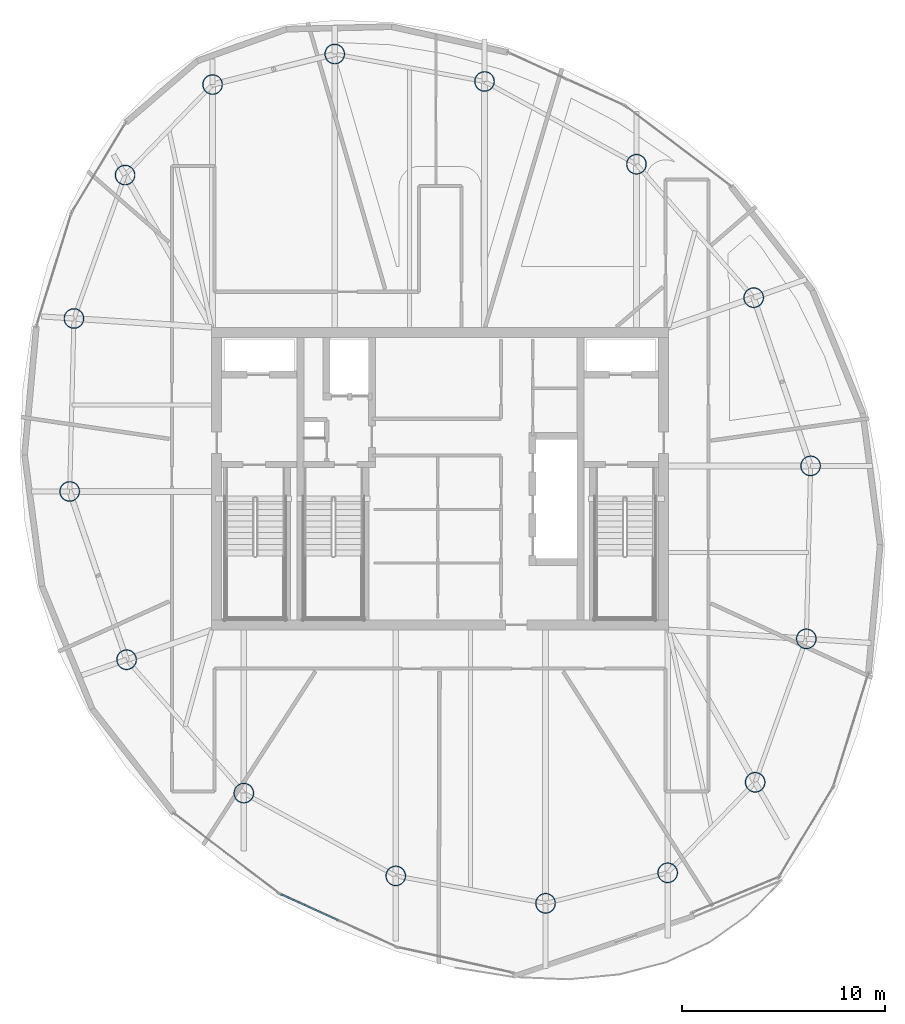
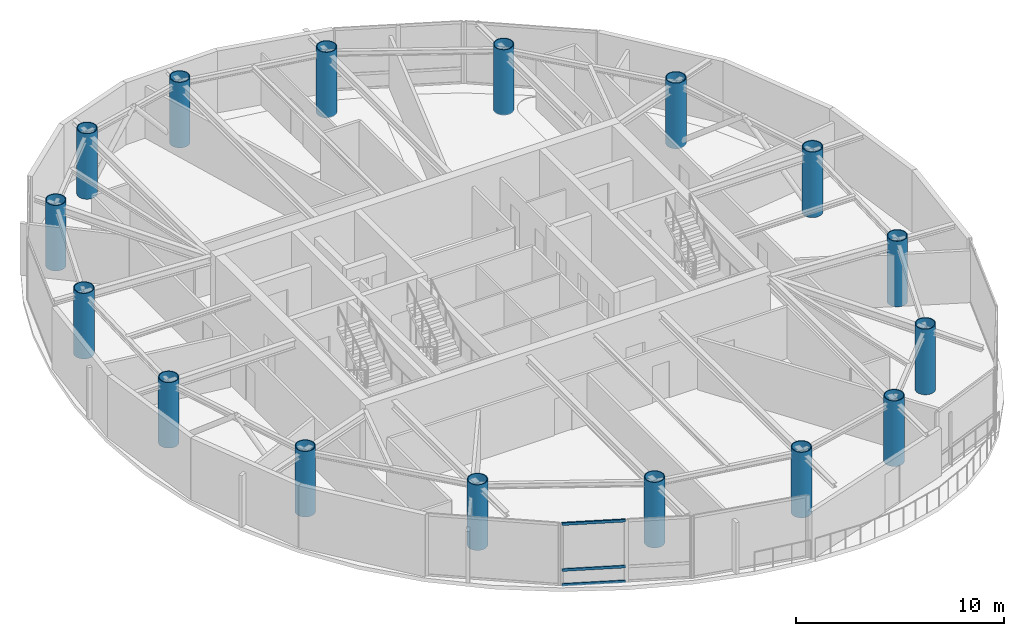
# One storey, part 1 of 19: 16 columns, 3 members, 1 element without a shape of its own.
"""IFC4 building model written with IfcOpenShell, lengths in metres."""

from ifc_helpers import new_model, si_unit, direction, frame, origin, origin_2d, place, context, subcontext, project, spatial, hollow_rectangle, hollow_circle, extrude, material, layer, layer_set, material_profile, profile_set, type_object, element, aggregate, save


model = new_model("IFC4")

# Units and contexts
model_context = context("Model", 3, precision=1e-05, world=origin(), true_north=direction((0.0, 1.0)))
body_context = subcontext(model_context, "Body", "Model", "MODEL_VIEW")
ifc_project = project(units=[si_unit("LENGTHUNIT", "METRE"), si_unit("AREAUNIT", "SQUARE_METRE"), si_unit("VOLUMEUNIT", "CUBIC_METRE"), si_unit("PLANEANGLEUNIT", "RADIAN"), si_unit("MASSUNIT", "GRAM", prefix="KILO")], contexts=[model_context])

# Site, building, storey
site_placement = place(None, origin())
site = spatial("IfcSite", under=ifc_project, at=site_placement, CompositionType="ELEMENT")
building_placement = place(site_placement, origin())
building = spatial("IfcBuilding", under=site, at=building_placement, Name="Bramvorn Convention Spire", CompositionType="ELEMENT")
storey_placement = place(building_placement, frame((0.0, 0.0, 272.85009765625)))
storey = spatial("IfcBuildingStorey", under=building, at=storey_placement, Name="L69", CompositionType="ELEMENT", Elevation=272.85009765625)

# Columns
ifc_material_1 = material(Name="Steel CSA G40.21 Grade 350 (350W)", Category="steel")
ifc_material_profile_1 = material_profile(ifc_material_1, hollow_circle(Radius=0.5, WallThickness=0.044921875, at=origin_2d()))
ifc_profile_set_1 = profile_set([ifc_material_profile_1], Name="Steel CSA G40.21 Grade 350 (350W) - CFT1000X45")
column_type = type_object("IfcColumnType", Name="COL-CFT1000X45", PredefinedType="COLUMN", material=ifc_profile_set_1)
for number, where, z_axis, x_axis, name in (
    (1, (49.199951171875, 6.60107421875, 0.0), (0.0, 0.0, 1.0), (1.0, 0.0, 0.0), "L69 composite CFT mega-column MC01"),
    (2, (53.50634765625, 11.05615234375, 0.0), (0.0, 0.0, 1.0), (1.0, 0.0, 0.0), "L69 composite CFT mega-column MC02"),
    (3, (56.023681640625, 18.116455078125, 0.0), (0.0, 0.0, 1.0), (1.0, 0.0, 0.0), "L69 composite CFT mega-column MC03"),
    (4, (56.234619140625, 26.62939453125, 0.0), (0.0, 0.0, 1.0), (1.0, 0.0, 0.0), "L69 composite CFT mega-column MC04"),
    (5, (53.4326171875, 34.909912109375, 0.0), (0.0, 0.0, 1.0), (1.0, 0.0, 0.0), "L69 composite CFT mega-column MC05"),
    (6, (47.662353515625, 41.476806640625, 0.0), (0.0, 0.0, 1.0), (1.0, 0.0, 0.0), "L69 composite CFT mega-column MC06"),
    (7, (40.1845703125, 45.55078125, 0.0), (0.0, 0.0, 1.0), (1.0, 0.0, 0.0), "L69 composite CFT mega-column MC07"),
    (8, (32.8115234375, 46.90087890625, 0.0), (0.0, 0.0, 1.0), (1.0, 0.0, 0.0), "L69 composite CFT mega-column MC08"),
    (9, (26.800048828125, 45.39892578125, 0.0), (0.0, 0.0, 1.0), (1.0, 0.0, 0.0), "L69 composite CFT mega-column MC09"),
    (10, (22.49365234375, 40.94384765625, 0.0), (0.0, 0.0, 1.0), (1.0, 0.0, 0.0), "L69 composite CFT mega-column MC10"),
    (11, (19.976318359375, 33.883544921875, 0.0), (0.0, 0.0, 1.0), (1.0, 0.0, 0.0), "L69 composite CFT mega-column MC11"),
    (12, (19.765380859375, 25.37060546875, 0.0), (0.0, 0.0, 1.0), (1.0, 0.0, 0.0), "L69 composite CFT mega-column MC12"),
    (13, (22.5673828125, 17.090087890625, 0.0), (0.0, 0.0, 1.0), (1.0, 0.0, 0.0), "L69 composite CFT mega-column MC13"),
    (14, (28.337646484375, 10.523193359375, 0.0), (0.0, 0.0, 1.0), (1.0, 0.0, 0.0), "L69 composite CFT mega-column MC14"),
    (15, (35.8154296875, 6.44921875, 0.0), (0.0, 0.0, 1.0), (1.0, 0.0, 0.0), "L69 composite CFT mega-column MC15"),
    (16, (43.1884765625, 5.09912109375, 0.0), (0.0, 0.0, 1.0), (1.0, 0.0, 0.0), "L69 composite CFT mega-column MC16"),
):
    element("IfcColumn", number, at=place(storey_placement, frame(where, z_axis=z_axis, x_axis=x_axis)), inside=storey, type_object=column_type, Name=name, PredefinedType="COLUMN", context=body_context, shape_type="SweptSolid", body=[
        extrude(hollow_circle(Radius=0.5, WallThickness=0.044921875, at=origin_2d()), origin(), (0.0, 0.0, 1.0), 3.849853515625),
    ])

# Curtain wall, members
ifc_material_2 = material(Name="Anodised Bronze Unitised Curtain Wall", Category="aluminium")
ifc_layer = layer(ifc_material_2, 0.179931640625)
ifc_layer_set = layer_set([ifc_layer], Name="Anodised Bronze Unitised Curtain Wall - CW-OFF-FRIT")
curtain_wall_type = type_object("IfcCurtainWallType", Name="CW-OFF-FRIT", PredefinedType="USERDEFINED", material=ifc_layer_set)
curtain_wall_placement = place(storey_placement, origin())
curtain_wall = element("IfcCurtainWall", 17, at=curtain_wall_placement, inside=storey, type_object=curtain_wall_type, Name="L69 fritted glass curtain wall 21", ObjectType="UNITISED CURTAIN WALL", PredefinedType="USERDEFINED")
ifc_material_3 = material(Name="Anodised Bronze Aluminium 6063-T6", Category="aluminium")
ifc_material_profile_2 = material_profile(ifc_material_3, hollow_rectangle(XDim=0.080078125, YDim=0.159912109375, WallThickness=0.00390625, InnerFilletRadius=0.0009765625, OuterFilletRadius=0.00390625, at=origin_2d()))
ifc_profile_set_2 = profile_set([ifc_material_profile_2], Name="Anodised Bronze Aluminium 6063-T6 - CWT80X160")
member_type = type_object("IfcMemberType", Name="CW-TRN-150", PredefinedType="USERDEFINED", material=ifc_profile_set_2)
member_1_placement = place(storey_placement, frame((32.954345703125, 4.274169921875, 0.02978515625), z_axis=(-0.910176516511, 0.414220604016, 0.0), x_axis=(-0.414220604016, -0.910176516511, 0.0)))
member_1 = element("IfcMember", 18, at=member_1_placement, type_object=member_type, Name="CW3 transom 2.1", ObjectType="TRANSOM", PredefinedType="USERDEFINED", context=body_context, shape_type="SweptSolid", body=[
    extrude(hollow_rectangle(XDim=0.080078125, YDim=0.159912109375, WallThickness=0.00390625, InnerFilletRadius=0.0009765625, OuterFilletRadius=0.00390625, at=origin_2d()), origin(), (0.0, 0.0, 1.0), 3.08251953125),
])
member_2_placement = place(storey_placement, frame((32.954345703125, 4.274169921875, 0.89990234375), z_axis=(-0.910176516511, 0.414220604016, 0.0), x_axis=(-0.414220604016, -0.910176516511, 0.0)))
member_2 = element("IfcMember", 19, at=member_2_placement, type_object=member_type, Name="CW3 transom 2.2", ObjectType="TRANSOM", PredefinedType="USERDEFINED", context=body_context, shape_type="SweptSolid", body=[
    extrude(hollow_rectangle(XDim=0.080078125, YDim=0.159912109375, WallThickness=0.00390625, InnerFilletRadius=0.0009765625, OuterFilletRadius=0.00390625, at=origin_2d()), origin(), (0.0, 0.0, 1.0), 3.08251953125),
])
member_3_placement = place(storey_placement, frame((32.954345703125, 4.274169921875, 3.594970703125), z_axis=(-0.910176516511, 0.414220604016, 0.0), x_axis=(-0.414220604016, -0.910176516511, 0.0)))
member_3 = element("IfcMember", 20, at=member_3_placement, type_object=member_type, Name="CW3 transom 2.3", ObjectType="TRANSOM", PredefinedType="USERDEFINED", context=body_context, shape_type="SweptSolid", body=[
    extrude(hollow_rectangle(XDim=0.080078125, YDim=0.159912109375, WallThickness=0.00390625, InnerFilletRadius=0.0009765625, OuterFilletRadius=0.00390625, at=origin_2d()), origin(), (0.0, 0.0, 1.0), 3.08251953125),
])
aggregate(curtain_wall, [member_1, member_2, member_3])

save(model, "model.ifc")
